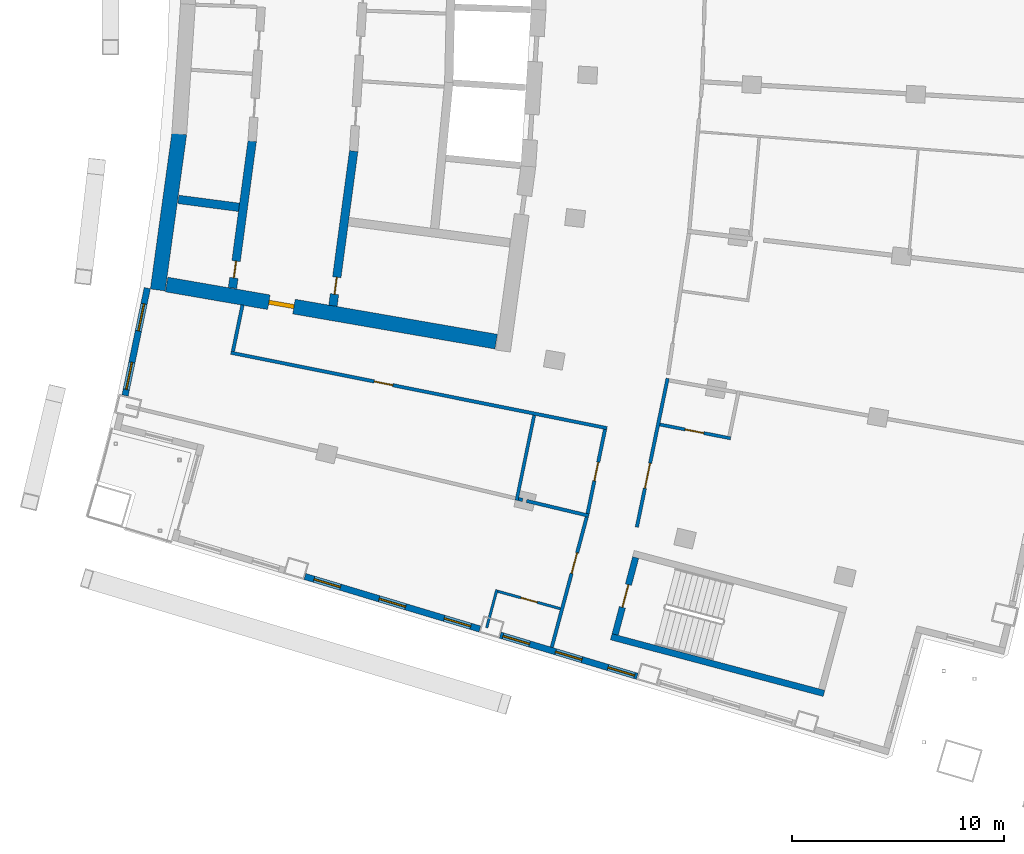
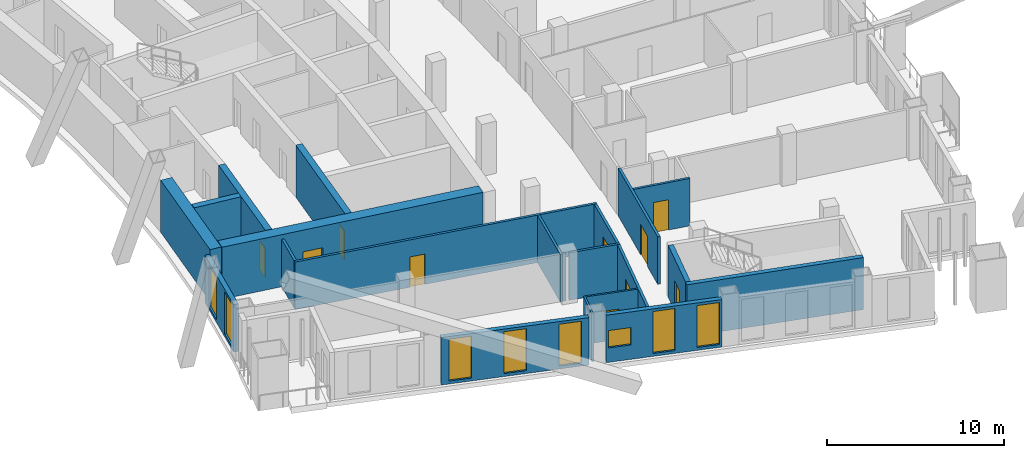
# One storey, part 10 of 19: 21 walls, 10 doors, 8 windows, 18 openings.
"""IFC4 building model written with IfcOpenShell, lengths in metres."""

from ifc_helpers import new_model, si_unit, direction, frame, frame_2d, origin, place, context, subcontext, project, spatial, rectangle, extrude, material, layer, layer_set, type_object, element, fill, save


model = new_model("IFC4")

# Units and contexts
model_context = context("Model", 3, precision=1e-05, world=origin(), true_north=direction((0.0, 1.0)))
body_context = subcontext(model_context, "Body", "Model", "MODEL_VIEW")
ifc_project = project(units=[si_unit("LENGTHUNIT", "METRE"), si_unit("AREAUNIT", "SQUARE_METRE"), si_unit("VOLUMEUNIT", "CUBIC_METRE"), si_unit("PLANEANGLEUNIT", "RADIAN"), si_unit("MASSUNIT", "GRAM", prefix="KILO")], contexts=[model_context])

# Site, building, storey
site_placement = place(None, origin())
site = spatial("IfcSite", under=ifc_project, at=site_placement, CompositionType="ELEMENT")
building_placement = place(site_placement, origin())
building = spatial("IfcBuilding", under=site, at=building_placement, Name="Alderwake Tower", CompositionType="ELEMENT")
storey_placement = place(building_placement, frame((0.0, 0.0, 171.199951171875)))
storey = spatial("IfcBuildingStorey", under=building, at=storey_placement, Name="L42", CompositionType="ELEMENT", Elevation=171.199951171875)

# Wall
ifc_material_1 = material(Name="Concrete C70/85", Category="concrete")
ifc_layer_1 = layer(ifc_material_1, 0.699951171875)
ifc_layer_set_1 = layer_set([ifc_layer_1], Name="Core wall outer 700 C70-85")
wall_type_1 = type_object("IfcWallType", Name="Core wall outer 700 C70-85", PredefinedType="SHEAR", material=ifc_layer_set_1)
wall_1_placement = place(storey_placement, frame((15.370849609375, 44.1376953125, 0.0), z_axis=(0.0, 0.0, 1.0), x_axis=(0.136315619812, 0.99066545907, 0.0)))
element("IfcWall", 1, at=wall_1_placement, inside=storey, type_object=wall_type_1, Name="Core wall CW.042", PredefinedType="SHEAR", context=body_context, shape_type="SweptSolid", body=[
    extrude(rectangle(XDim=7.420166015625, YDim=0.699951171875, at=frame_2d((3.7099609375, 0.0))), origin(), (0.0, 0.0, 1.0), 3.60009765625),
])

# Wall, opening, door
wall_2_placement = place(storey_placement, frame((31.295654296875, 41.705810546875, 0.0), z_axis=(0.0, 0.0, 1.0), x_axis=(-0.985302589944, 0.170818050129, 0.0)))
wall_2 = element("IfcWall", 2, at=wall_2_placement, inside=storey, type_object=wall_type_1, Name="Core wall CW.072", PredefinedType="SHEAR", context=body_context, shape_type="SweptSolid", body=[
    extrude(rectangle(XDim=15.7373046875, YDim=0.699951171875, at=frame_2d((7.86865234375, 0.0))), origin(), (0.0, 0.0, 1.0), 3.60009765625),
])
opening_1_placement = place(wall_2_placement, frame((9.65576171875, 0.0, 0.0)))
opening_1 = element("IfcOpeningElement", 3, at=opening_1_placement, cuts=wall_2, Name="Opening C003", PredefinedType="OPENING", context=body_context, shape_type="SweptSolid", body=[
    extrude(rectangle(XDim=1.199951171875, YDim=2.10009765625, at=frame_2d((0.60009765625, 1.050048828125))), frame((0.0, 0.35986328125, 0.0), z_axis=(0.0, -1.0, 0.0), x_axis=(1.0, 0.0, 0.0)), (0.0, 0.0, 1.0), 0.719970703125),
])
ifc_material_2 = material(Name="Steel-framed fire door leaf", Category="steel")
door_type_1 = type_object("IfcDoorType", Name="Core lobby exit door 1200 fire-rated", OperationType="SINGLE_SWING_LEFT", PredefinedType="DOOR", material=ifc_material_2)
door_1_placement = place(opening_1_placement, origin())
door_1 = element("IfcDoor", 4, at=door_1_placement, inside=storey, type_object=door_type_1, Name="Lobby door", OperationType="SINGLE_SWING_LEFT", OverallHeight=2.10009765625, OverallWidth=1.199951171875, PredefinedType="DOOR", context=body_context, shape_type="SweptSolid", body=[
    extrude(rectangle(XDim=1.199951171875, YDim=2.10009765625, at=frame_2d((0.60009765625, 1.050048828125))), frame((0.0, 0.10009765625, 0.0), z_axis=(0.0, -1.0, 0.0), x_axis=(1.0, 0.0, 0.0)), (0.0, 0.0, 1.0), 0.199951171875),
])
fill(opening_1, door_1)

ifc_material_3 = material(Name="Concrete C70/85", Category="concrete")
ifc_layer_2 = layer(ifc_material_3, 0.39990234375)
ifc_layer_set_2 = layer_set([ifc_layer_2], Name="Core wall spine 400 C70-85")
wall_type_2 = type_object("IfcWallType", Name="Core wall spine 400 C70-85", PredefinedType="SHEAR", material=ifc_layer_set_2)
wall_3_placement = place(storey_placement, frame((19.814697265625, 51.143798828125, 0.0), z_axis=(0.0, 0.0, 1.0), x_axis=(-0.132864871698, -0.991134161387, 0.0)))
wall_3 = element("IfcWall", 5, at=wall_3_placement, inside=storey, type_object=wall_type_2, Name="Core wall CW.033", PredefinedType="SHEAR", context=body_context, shape_type="SweptSolid", body=[
    extrude(rectangle(XDim=6.978759765625, YDim=0.39990234375, at=frame_2d((3.4892578125, 0.0))), origin(), (0.0, 0.0, 1.0), 3.60009765625),
])
opening_2_placement = place(wall_3_placement, frame((5.69677734375, 0.0, 0.0)))
opening_2 = element("IfcOpeningElement", 6, at=opening_2_placement, cuts=wall_3, Name="Opening C007", PredefinedType="OPENING", context=body_context, shape_type="SweptSolid", body=[
    extrude(rectangle(XDim=0.800048828125, YDim=2.0, at=frame_2d((0.39990234375, 1.0))), frame((0.0, 0.2099609375, 0.0), z_axis=(0.0, -1.0, 0.0), x_axis=(1.0, 0.0, 0.0)), (0.0, 0.0, 1.0), 0.419921875),
])
ifc_material_4 = material(Name="Painted steel leaf, rated", Category="steel")
door_type_2 = type_object("IfcDoorType", Name="Riser access door 800", OperationType="SINGLE_SWING_LEFT", PredefinedType="DOOR", material=ifc_material_4)
door_2_placement = place(opening_2_placement, origin())
door_2 = element("IfcDoor", 7, at=door_2_placement, inside=storey, type_object=door_type_2, Name="Riser access door", OperationType="SINGLE_SWING_LEFT", OverallHeight=2.0, OverallWidth=0.800048828125, PredefinedType="DOOR", context=body_context, shape_type="SweptSolid", body=[
    extrude(rectangle(XDim=0.800048828125, YDim=2.0, at=frame_2d((0.39990234375, 1.0))), frame((0.0, 0.02490234375, 0.0), z_axis=(0.0, -1.0, 0.0), x_axis=(1.0, 0.0, 0.0)), (0.0, 0.0, 1.0), 0.050048828125),
])
fill(opening_2, door_2)

wall_4_placement = place(storey_placement, frame((23.6142578125, 43.390869140625, 0.0), z_axis=(0.0, 0.0, 1.0), x_axis=(0.133023466616, 0.991112888287, 0.0)))
wall_4 = element("IfcWall", 8, at=wall_4_placement, inside=storey, type_object=wall_type_2, Name="Core wall CW.047", PredefinedType="SHEAR", context=body_context, shape_type="SweptSolid", body=[
    extrude(rectangle(XDim=7.3466796875, YDim=0.39990234375, at=frame_2d((3.67333984375, 0.0))), origin(), (0.0, 0.0, 1.0), 3.60009765625),
])
opening_3_placement = place(wall_4_placement, frame((0.557861328125, 0.0, 0.0)))
opening_3 = element("IfcOpeningElement", 9, at=opening_3_placement, cuts=wall_4, Name="Opening C014", PredefinedType="OPENING", context=body_context, shape_type="SweptSolid", body=[
    extrude(rectangle(XDim=0.800048828125, YDim=2.0, at=frame_2d((0.39990234375, 1.0))), frame((0.0, 0.2099609375, 0.0), z_axis=(0.0, -1.0, 0.0), x_axis=(1.0, 0.0, 0.0)), (0.0, 0.0, 1.0), 0.419921875),
])
door_3_placement = place(opening_3_placement, origin())
door_3 = element("IfcDoor", 10, at=door_3_placement, inside=storey, type_object=door_type_2, Name="Riser access door", OperationType="SINGLE_SWING_RIGHT", OverallHeight=2.0, OverallWidth=0.800048828125, PredefinedType="DOOR", context=body_context, shape_type="SweptSolid", body=[
    extrude(rectangle(XDim=0.800048828125, YDim=2.0, at=frame_2d((0.39990234375, 1.0))), frame((0.0, 0.02490234375, 0.0), z_axis=(0.0, -1.0, 0.0), x_axis=(1.0, 0.0, 0.0)), (0.0, 0.0, 1.0), 0.050048828125),
])
fill(opening_3, door_3)

# Walls
wall_5_placement = place(storey_placement, frame((16.3408203125, 48.3994140625, 0.0), z_axis=(0.0, 0.0, 1.0), x_axis=(0.991544987266, -0.129763393253, 0.0)))
element("IfcWall", 11, at=wall_5_placement, inside=storey, type_object=wall_type_2, Name="Core wall CW.067", PredefinedType="SHEAR", context=body_context, shape_type="SweptSolid", body=[
    extrude(rectangle(XDim=2.878662109375, YDim=0.39990234375, at=frame_2d((1.439453125, 0.0))), origin(), (0.0, 0.0, 1.0), 3.60009765625),
])
ifc_material_5 = material(Name="Concrete C70/85", Category="concrete")
ifc_layer_3 = layer(ifc_material_5, 0.300048828125)
ifc_layer_set_3 = layer_set([ifc_layer_3], Name="Core wall stair enclosure 300 C70-85")
wall_type_3 = type_object("IfcWallType", Name="Core wall stair enclosure 300 C70-85", PredefinedType="SHEAR", material=ifc_layer_set_3)
wall_6_placement = place(storey_placement, frame((36.71142578125, 27.817626953125, 0.0), z_axis=(0.0, 0.0, 1.0), x_axis=(0.966309214305, -0.257383958996, 0.0)))
element("IfcWall", 12, at=wall_6_placement, inside=storey, type_object=wall_type_3, Name="Core wall CW.088", PredefinedType="SHEAR", context=body_context, shape_type="SweptSolid", body=[
    extrude(rectangle(XDim=10.360107421875, YDim=0.300048828125, at=frame_2d((5.18017578125, 0.0))), origin(), (0.0, 0.0, 1.0), 3.60009765625),
])

# Wall, opening, door
wall_7_placement = place(storey_placement, frame((36.89501953125, 27.923828125, 0.0), z_axis=(0.0, 0.0, 1.0), x_axis=(0.257350630826, 0.966318090907, 0.0)))
wall_7 = element("IfcWall", 13, at=wall_7_placement, inside=storey, type_object=wall_type_3, Name="Core wall CW.087", PredefinedType="SHEAR", context=body_context, shape_type="SweptSolid", body=[
    extrude(rectangle(XDim=3.75, YDim=0.300048828125, at=frame_2d((1.875, 0.0))), origin(), (0.0, 0.0, 1.0), 3.60009765625),
])
opening_4_placement = place(wall_7_placement, frame((1.324951171875, 0.0, 0.0)))
opening_4 = element("IfcOpeningElement", 14, at=opening_4_placement, cuts=wall_7, Name="Opening C065", PredefinedType="OPENING", context=body_context, shape_type="SweptSolid", body=[
    extrude(rectangle(XDim=1.10009765625, YDim=2.10009765625, at=frame_2d((0.550048828125, 1.050048828125))), frame((0.0, 0.159912109375, 0.0), z_axis=(0.0, -1.0, 0.0), x_axis=(1.0, 0.0, 0.0)), (0.0, 0.0, 1.0), 0.320068359375),
])
ifc_material_6 = material(Name="Steel-framed fire door leaf", Category="steel")
door_type_3 = type_object("IfcDoorType", Name="Core stair door 1100 fire-rated", OperationType="SINGLE_SWING_LEFT", PredefinedType="DOOR", material=ifc_material_6)
door_4_placement = place(opening_4_placement, origin())
door_4 = element("IfcDoor", 15, at=door_4_placement, inside=storey, type_object=door_type_3, Name="Stair door", OperationType="SINGLE_SWING_LEFT", OverallHeight=2.10009765625, OverallWidth=1.10009765625, PredefinedType="DOOR", context=body_context, shape_type="SweptSolid", body=[
    extrude(rectangle(XDim=1.10009765625, YDim=2.10009765625, at=frame_2d((0.550048828125, 1.050048828125))), frame((0.0, 0.02490234375, 0.0), z_axis=(0.0, -1.0, 0.0), x_axis=(1.0, 0.0, 0.0)), (0.0, 0.0, 1.0), 0.050048828125),
])
fill(opening_4, door_4)

ifc_material_7 = material(Name="Gypsum board on metal studs, rated")
ifc_layer_4 = layer(ifc_material_7, 0.159912109375)
ifc_layer_set_4 = layer_set([ifc_layer_4], Name="Corridor wall 160")
wall_type_4 = type_object("IfcWallType", Name="Corridor wall 160", PredefinedType="PARTITIONING", material=ifc_layer_set_4)
wall_8_placement = place(storey_placement, frame((36.513427734375, 37.63427734375, 0.0), z_axis=(0.0, 0.0, 1.0), x_axis=(-0.980470254867, 0.1966674333, 0.0)))
wall_8 = element("IfcWall", 16, at=wall_8_placement, inside=storey, type_object=wall_type_4, Name="WL/L42/W14", PredefinedType="PARTITIONING", context=body_context, shape_type="SweptSolid", body=[
    extrude(rectangle(XDim=18.053466796875, YDim=0.159912109375, at=frame_2d((9.02685546875, 0.0))), origin(), (0.0, 0.0, 1.0), 3.280029296875),
])
opening_5_placement = place(wall_8_placement, frame((10.277099609375, 0.0, 0.0)))
opening_5 = element("IfcOpeningElement", 17, at=opening_5_placement, cuts=wall_8, Name="Opening R12-SBS1", PredefinedType="OPENING", context=body_context, shape_type="SweptSolid", body=[
    extrude(rectangle(XDim=0.89990234375, YDim=2.10009765625, at=frame_2d((0.449951171875, 1.050048828125))), frame((0.0, 0.08984375, 0.0), z_axis=(0.0, -1.0, 0.0), x_axis=(1.0, 0.0, 0.0)), (0.0, 0.0, 1.0), 0.179931640625),
])
ifc_material_8 = material(Name="Painted timber leaf", Category="wood")
door_type_4 = type_object("IfcDoorType", Name="Room door 900", OperationType="SINGLE_SWING_LEFT", PredefinedType="DOOR", material=ifc_material_8)
door_5_placement = place(opening_5_placement, origin())
door_5 = element("IfcDoor", 18, at=door_5_placement, inside=storey, type_object=door_type_4, Name="DR/L42/SBS1", OperationType="SINGLE_SWING_LEFT", OverallHeight=2.10009765625, OverallWidth=0.89990234375, PredefinedType="DOOR", context=body_context, shape_type="SweptSolid", body=[
    extrude(rectangle(XDim=0.89990234375, YDim=2.10009765625, at=frame_2d((0.449951171875, 1.050048828125))), frame((0.0, 0.02490234375, 0.0), z_axis=(0.0, -1.0, 0.0), x_axis=(1.0, 0.0, 0.0)), (0.0, 0.0, 1.0), 0.050048828125),
])
fill(opening_5, door_5)

# Walls
wall_9_placement = place(storey_placement, frame((19.35888671875, 43.430908203125, 0.0), z_axis=(0.0, 0.0, 1.0), x_axis=(-0.202554916658, -0.979270905183, 0.0)))
element("IfcWall", 19, at=wall_9_placement, inside=storey, type_object=wall_type_4, Name="WL/L42/W15", PredefinedType="PARTITIONING", context=body_context, shape_type="SweptSolid", body=[
    extrude(rectangle(XDim=2.229736328125, YDim=0.159912109375, at=frame_2d((1.11474609375, 0.0))), origin(), (0.0, 0.0, 1.0), 3.280029296875),
])
wall_10_placement = place(storey_placement, frame((32.343994140625, 34.300048828125, 0.0), z_axis=(0.0, 0.0, 1.0), x_axis=(0.974391195695, -0.224859506699, 0.0)))
element("IfcWall", 20, at=wall_10_placement, inside=storey, type_object=wall_type_4, Name="WL/L42/W17", PredefinedType="PARTITIONING", context=body_context, shape_type="SweptSolid", body=[
    extrude(rectangle(XDim=0.205322265625, YDim=0.159912109375, at=frame_2d((0.1025390625, 0.0))), origin(), (0.0, 0.0, 1.0), 3.280029296875),
])
wall_11_placement = place(storey_placement, frame((32.725341796875, 34.210205078125, 0.0), z_axis=(0.0, 0.0, 1.0), x_axis=(0.972838360224, -0.231485474442, 0.0)))
element("IfcWall", 21, at=wall_11_placement, inside=storey, type_object=wall_type_4, Name="WL/L42/W18", PredefinedType="PARTITIONING", context=body_context, shape_type="SweptSolid", body=[
    extrude(rectangle(XDim=3.01416015625, YDim=0.159912109375, at=frame_2d((1.507080078125, 0.0))), origin(), (0.0, 0.0, 1.0), 3.280029296875),
])

# Wall, opening, door
wall_12_placement = place(storey_placement, frame((33.912109375, 27.321044921875, 0.0), z_axis=(0.0, 0.0, 1.0), x_axis=(0.259370874835, 0.965777794986, 0.0)))
wall_12 = element("IfcWall", 22, at=wall_12_placement, inside=storey, type_object=wall_type_4, Name="WL/L42/W20", PredefinedType="PARTITIONING", context=body_context, shape_type="SweptSolid", body=[
    extrude(rectangle(XDim=6.349853515625, YDim=0.159912109375, at=frame_2d((3.1748046875, 0.0))), origin(), (0.0, 0.0, 1.0), 3.280029296875),
])
opening_6_placement = place(wall_12_placement, frame((3.603515625, 0.0, 0.0)))
opening_6 = element("IfcOpeningElement", 23, at=opening_6_placement, cuts=wall_12, Name="Opening R12-U10.1", PredefinedType="OPENING", context=body_context, shape_type="SweptSolid", body=[
    extrude(rectangle(XDim=1.0, YDim=2.10009765625, at=frame_2d((0.5, 1.050048828125))), frame((0.0, 0.08984375, 0.0), z_axis=(0.0, -1.0, 0.0), x_axis=(1.0, 0.0, 0.0)), (0.0, 0.0, 1.0), 0.179931640625),
])
ifc_material_9 = material(Name="Solid timber leaf in steel frame", Category="steel")
door_type_5 = type_object("IfcDoorType", Name="Flat entrance door 1000 fire-rated", OperationType="SINGLE_SWING_LEFT", PredefinedType="DOOR", material=ifc_material_9)
door_6_placement = place(opening_6_placement, origin())
door_6 = element("IfcDoor", 24, at=door_6_placement, inside=storey, type_object=door_type_5, Name="DR/L42/U10.1", OperationType="SINGLE_SWING_LEFT", OverallHeight=2.10009765625, OverallWidth=1.0, PredefinedType="DOOR", context=body_context, shape_type="SweptSolid", body=[
    extrude(rectangle(XDim=1.0, YDim=2.10009765625, at=frame_2d((0.5, 1.050048828125))), frame((0.0, 0.02490234375, 0.0), z_axis=(0.0, -1.0, 0.0), x_axis=(1.0, 0.0, 0.0)), (0.0, 0.0, 1.0), 0.050048828125),
])
fill(opening_6, door_6)

wall_13_placement = place(storey_placement, frame((35.59619140625, 33.609375, 0.0), z_axis=(0.0, 0.0, 1.0), x_axis=(0.203245920818, 0.979127721838, 0.0)))
wall_13 = element("IfcWall", 25, at=wall_13_placement, inside=storey, type_object=wall_type_4, Name="WL/L42/W23", PredefinedType="PARTITIONING", context=body_context, shape_type="SweptSolid", body=[
    extrude(rectangle(XDim=4.046875, YDim=0.159912109375, at=frame_2d((2.0234375, 0.0))), origin(), (0.0, 0.0, 1.0), 3.280029296875),
])
opening_7_placement = place(wall_13_placement, frame((1.573486328125, 0.0, 0.0)))
opening_7 = element("IfcOpeningElement", 26, at=opening_7_placement, cuts=wall_13, Name="Opening R12-SBS2", PredefinedType="OPENING", context=body_context, shape_type="SweptSolid", body=[
    extrude(rectangle(XDim=0.89990234375, YDim=2.10009765625, at=frame_2d((0.449951171875, 1.050048828125))), frame((0.0, 0.08984375, 0.0), z_axis=(0.0, -1.0, 0.0), x_axis=(1.0, 0.0, 0.0)), (0.0, 0.0, 1.0), 0.179931640625),
])
door_7_placement = place(opening_7_placement, origin())
door_7 = element("IfcDoor", 27, at=door_7_placement, inside=storey, type_object=door_type_4, Name="DR/L42/SBS2", OperationType="SINGLE_SWING_LEFT", OverallHeight=2.10009765625, OverallWidth=0.89990234375, PredefinedType="DOOR", context=body_context, shape_type="SweptSolid", body=[
    extrude(rectangle(XDim=0.89990234375, YDim=2.10009765625, at=frame_2d((0.449951171875, 1.050048828125))), frame((0.0, 0.02490234375, 0.0), z_axis=(0.0, -1.0, 0.0), x_axis=(1.0, 0.0, 0.0)), (0.0, 0.0, 1.0), 0.050048828125),
])
fill(opening_7, door_7)

wall_14_placement = place(storey_placement, frame((39.3642578125, 39.975341796875, 0.0), z_axis=(0.0, 0.0, 1.0), x_axis=(-0.202490391407, -0.979284249535, 0.0)))
wall_14 = element("IfcWall", 28, at=wall_14_placement, inside=storey, type_object=wall_type_4, Name="WL/L42/W25", PredefinedType="PARTITIONING", context=body_context, shape_type="SweptSolid", body=[
    extrude(rectangle(XDim=7.147216796875, YDim=0.159912109375, at=frame_2d((3.57373046875, 0.0))), origin(), (0.0, 0.0, 1.0), 3.280029296875),
])
opening_8_placement = place(wall_14_placement, frame((4.073486328125, 0.0, 0.0)))
opening_8 = element("IfcOpeningElement", 29, at=opening_8_placement, cuts=wall_14, Name="Opening R12-AM1.1", PredefinedType="OPENING", context=body_context, shape_type="SweptSolid", body=[
    extrude(rectangle(XDim=1.199951171875, YDim=2.10009765625, at=frame_2d((0.60009765625, 1.050048828125))), frame((0.0, 0.08984375, 0.0), z_axis=(0.0, -1.0, 0.0), x_axis=(1.0, 0.0, 0.0)), (0.0, 0.0, 1.0), 0.179931640625),
])
ifc_material_10 = material(Name="Steel-framed fire door leaf", Category="steel")
door_type_6 = type_object("IfcDoorType", Name="Lobby door 1200 fire-rated", OperationType="SINGLE_SWING_LEFT", PredefinedType="DOOR", material=ifc_material_10)
door_8_placement = place(opening_8_placement, origin())
door_8 = element("IfcDoor", 30, at=door_8_placement, inside=storey, type_object=door_type_6, Name="DR/L42/AM1.1", OperationType="SINGLE_SWING_LEFT", OverallHeight=2.10009765625, OverallWidth=1.199951171875, PredefinedType="DOOR", context=body_context, shape_type="SweptSolid", body=[
    extrude(rectangle(XDim=1.199951171875, YDim=2.10009765625, at=frame_2d((0.60009765625, 1.050048828125))), frame((0.0, 0.02490234375, 0.0), z_axis=(0.0, -1.0, 0.0), x_axis=(1.0, 0.0, 0.0)), (0.0, 0.0, 1.0), 0.050048828125),
])
fill(opening_8, door_8)

# Wall, openings, windows
ifc_material_11 = material(Name="Precast concrete C50/60 spandrel panel", Category="concrete")
ifc_layer_5 = layer(ifc_material_11, 0.300048828125)
ifc_layer_set_5 = layer_set([ifc_layer_5], Name="External wall EW1 Precast concrete C50/60 spandrel")
wall_type_5 = type_object("IfcWallType", Name="External wall EW1 Precast concrete C50/60 spandrel", PredefinedType="SOLIDWALL", material=ifc_layer_set_5)
wall_15_placement = place(storey_placement, frame((14.878173828125, 44.223388671875, 0.0), z_axis=(0.0, 0.0, 1.0), x_axis=(-0.202754243564, -0.979229654737, 0.0)))
wall_15 = element("IfcWall", 31, at=wall_15_placement, inside=storey, type_object=wall_type_5, Name="External wall 32", PredefinedType="SOLIDWALL", context=body_context, shape_type="SweptSolid", body=[
    extrude(rectangle(XDim=5.15966796875, YDim=0.300048828125, at=frame_2d((2.579833984375, 0.0))), origin(), (0.0, 0.0, 1.0), 3.280029296875),
])
opening_9_placement = place(wall_15_placement, frame((0.75634765625, 0.0, 0.199951171875)))
opening_9 = element("IfcOpeningElement", 32, at=opening_9_placement, cuts=wall_15, Name="Opening W1", PredefinedType="OPENING", context=body_context, shape_type="SweptSolid", body=[
    extrude(rectangle(XDim=1.300048828125, YDim=2.89990234375, at=frame_2d((0.64990234375, 1.449951171875))), frame((0.0, 0.159912109375, 0.0), z_axis=(0.0, -1.0, 0.0), x_axis=(1.0, 0.0, 0.0)), (0.0, 0.0, 1.0), 0.320068359375),
])
opening_10_placement = place(wall_15_placement, frame((3.569091796875, 0.0, 0.199951171875)))
opening_10 = element("IfcOpeningElement", 33, at=opening_10_placement, cuts=wall_15, Name="Opening W1", PredefinedType="OPENING", context=body_context, shape_type="SweptSolid", body=[
    extrude(rectangle(XDim=1.300048828125, YDim=2.89990234375, at=frame_2d((0.64990234375, 1.449951171875))), frame((0.0, 0.159912109375, 0.0), z_axis=(0.0, -1.0, 0.0), x_axis=(1.0, 0.0, 0.0)), (0.0, 0.0, 1.0), 0.320068359375),
])
ifc_material_12 = material(Name="Bronze tinted glass in aluminium frame", Category="aluminium")
window_type_1 = type_object("IfcWindowType", Name="Window W1 tall fixed and vent", PartitioningType="DOUBLE_PANEL_VERTICAL", PredefinedType="WINDOW", material=ifc_material_12)
window_1_placement = place(opening_9_placement, origin())
window_1 = element("IfcWindow", 34, at=window_1_placement, inside=storey, type_object=window_type_1, Name="Window W1 tall fixed and vent", OverallHeight=2.89990234375, OverallWidth=1.300048828125, PartitioningType="DOUBLE_PANEL_VERTICAL", PredefinedType="WINDOW", context=body_context, shape_type="SweptSolid", body=[
    extrude(rectangle(XDim=1.300048828125, YDim=2.89990234375, at=frame_2d((0.64990234375, 1.449951171875))), frame((0.0, 0.030029296875, 0.0), z_axis=(0.0, -1.0, 0.0), x_axis=(1.0, 0.0, 0.0)), (0.0, 0.0, 1.0), 0.06005859375),
])
fill(opening_9, window_1)
window_2_placement = place(opening_10_placement, origin())
window_2 = element("IfcWindow", 35, at=window_2_placement, inside=storey, type_object=window_type_1, Name="Window W1 tall fixed and vent", OverallHeight=2.89990234375, OverallWidth=1.300048828125, PartitioningType="DOUBLE_PANEL_VERTICAL", PredefinedType="WINDOW", context=body_context, shape_type="SweptSolid", body=[
    extrude(rectangle(XDim=1.300048828125, YDim=2.89990234375, at=frame_2d((0.64990234375, 1.449951171875))), frame((0.0, 0.030029296875, 0.0), z_axis=(0.0, -1.0, 0.0), x_axis=(1.0, 0.0, 0.0)), (0.0, 0.0, 1.0), 0.06005859375),
])
fill(opening_10, window_2)

ifc_material_13 = material(Name="Bronze metal cladding on lightweight framing")
ifc_layer_6 = layer(ifc_material_13, 0.300048828125)
ifc_layer_set_6 = layer_set([ifc_layer_6], Name="External wall EW2 bronze metal cladding")
wall_type_6 = type_object("IfcWallType", Name="External wall EW2 bronze metal cladding", PredefinedType="SOLIDWALL", material=ifc_layer_set_6)
wall_16_placement = place(storey_placement, frame((22.294677734375, 30.653564453125, 0.0), z_axis=(0.0, 0.0, 1.0), x_axis=(0.957768419769, -0.287540699891, 0.0)))
wall_16 = element("IfcWall", 36, at=wall_16_placement, inside=storey, type_object=wall_type_6, Name="External wall 5", PredefinedType="SOLIDWALL", context=body_context, shape_type="SweptSolid", body=[
    extrude(rectangle(XDim=8.595947265625, YDim=0.300048828125, at=frame_2d((4.2978515625, 0.0))), origin(), (0.0, 0.0, 1.0), 3.280029296875),
])
opening_11_placement = place(wall_16_placement, frame((0.44775390625, 0.0, 0.199951171875)))
opening_11 = element("IfcOpeningElement", 37, at=opening_11_placement, cuts=wall_16, Name="Opening W1", PredefinedType="OPENING", context=body_context, shape_type="SweptSolid", body=[
    extrude(rectangle(XDim=1.300048828125, YDim=2.89990234375, at=frame_2d((0.64990234375, 1.449951171875))), frame((0.0, 0.159912109375, 0.0), z_axis=(0.0, -1.0, 0.0), x_axis=(1.0, 0.0, 0.0)), (0.0, 0.0, 1.0), 0.320068359375),
])
opening_12_placement = place(wall_16_placement, frame((3.647705078125, 0.0, 0.199951171875)))
opening_12 = element("IfcOpeningElement", 38, at=opening_12_placement, cuts=wall_16, Name="Opening W1", PredefinedType="OPENING", context=body_context, shape_type="SweptSolid", body=[
    extrude(rectangle(XDim=1.300048828125, YDim=2.89990234375, at=frame_2d((0.64990234375, 1.449951171875))), frame((0.0, 0.159912109375, 0.0), z_axis=(0.0, -1.0, 0.0), x_axis=(1.0, 0.0, 0.0)), (0.0, 0.0, 1.0), 0.320068359375),
])
opening_13_placement = place(wall_16_placement, frame((6.847900390625, 0.0, 0.199951171875)))
opening_13 = element("IfcOpeningElement", 39, at=opening_13_placement, cuts=wall_16, Name="Opening W1", PredefinedType="OPENING", context=body_context, shape_type="SweptSolid", body=[
    extrude(rectangle(XDim=1.300048828125, YDim=2.89990234375, at=frame_2d((0.64990234375, 1.449951171875))), frame((0.0, 0.159912109375, 0.0), z_axis=(0.0, -1.0, 0.0), x_axis=(1.0, 0.0, 0.0)), (0.0, 0.0, 1.0), 0.320068359375),
])
window_3_placement = place(opening_11_placement, origin())
window_3 = element("IfcWindow", 40, at=window_3_placement, inside=storey, type_object=window_type_1, Name="Window W1 tall fixed and vent", OverallHeight=2.89990234375, OverallWidth=1.300048828125, PartitioningType="DOUBLE_PANEL_VERTICAL", PredefinedType="WINDOW", context=body_context, shape_type="SweptSolid", body=[
    extrude(rectangle(XDim=1.300048828125, YDim=2.89990234375, at=frame_2d((0.64990234375, 1.449951171875))), frame((0.0, 0.030029296875, 0.0), z_axis=(0.0, -1.0, 0.0), x_axis=(1.0, 0.0, 0.0)), (0.0, 0.0, 1.0), 0.06005859375),
])
fill(opening_11, window_3)
window_4_placement = place(opening_12_placement, origin())
window_4 = element("IfcWindow", 41, at=window_4_placement, inside=storey, type_object=window_type_1, Name="Window W1 tall fixed and vent", OverallHeight=2.89990234375, OverallWidth=1.300048828125, PartitioningType="DOUBLE_PANEL_VERTICAL", PredefinedType="WINDOW", context=body_context, shape_type="SweptSolid", body=[
    extrude(rectangle(XDim=1.300048828125, YDim=2.89990234375, at=frame_2d((0.64990234375, 1.449951171875))), frame((0.0, 0.030029296875, 0.0), z_axis=(0.0, -1.0, 0.0), x_axis=(1.0, 0.0, 0.0)), (0.0, 0.0, 1.0), 0.06005859375),
])
fill(opening_12, window_4)
window_5_placement = place(opening_13_placement, origin())
window_5 = element("IfcWindow", 42, at=window_5_placement, inside=storey, type_object=window_type_1, Name="Window W1 tall fixed and vent", OverallHeight=2.89990234375, OverallWidth=1.300048828125, PartitioningType="DOUBLE_PANEL_VERTICAL", PredefinedType="WINDOW", context=body_context, shape_type="SweptSolid", body=[
    extrude(rectangle(XDim=1.300048828125, YDim=2.89990234375, at=frame_2d((0.64990234375, 1.449951171875))), frame((0.0, 0.030029296875, 0.0), z_axis=(0.0, -1.0, 0.0), x_axis=(1.0, 0.0, 0.0)), (0.0, 0.0, 1.0), 0.06005859375),
])
fill(opening_13, window_5)

wall_17_placement = place(storey_placement, frame((31.4892578125, 27.89306640625, 0.0), z_axis=(0.0, 0.0, 1.0), x_axis=(0.957766354081, -0.287547580396, 0.0)))
wall_17 = element("IfcWall", 43, at=wall_17_placement, inside=storey, type_object=wall_type_6, Name="External wall 6", PredefinedType="SOLIDWALL", context=body_context, shape_type="SweptSolid", body=[
    extrude(rectangle(XDim=6.7294921875, YDim=0.300048828125, at=frame_2d((3.36474609375, 0.0))), origin(), (0.0, 0.0, 1.0), 3.280029296875),
])
opening_14_placement = place(wall_17_placement, frame((0.13671875, 0.0, 1.0)))
opening_14 = element("IfcOpeningElement", 44, at=opening_14_placement, cuts=wall_17, Name="Opening W2", PredefinedType="OPENING", context=body_context, shape_type="SweptSolid", body=[
    extrude(rectangle(XDim=1.300048828125, YDim=1.199951171875, at=frame_2d((0.64990234375, 0.60009765625))), frame((0.0, 0.159912109375, 0.0), z_axis=(0.0, -1.0, 0.0), x_axis=(1.0, 0.0, 0.0)), (0.0, 0.0, 1.0), 0.320068359375),
])
opening_15_placement = place(wall_17_placement, frame((2.714599609375, 0.0, 0.199951171875)))
opening_15 = element("IfcOpeningElement", 45, at=opening_15_placement, cuts=wall_17, Name="Opening W1", PredefinedType="OPENING", context=body_context, shape_type="SweptSolid", body=[
    extrude(rectangle(XDim=1.300048828125, YDim=2.89990234375, at=frame_2d((0.64990234375, 1.449951171875))), frame((0.0, 0.159912109375, 0.0), z_axis=(0.0, -1.0, 0.0), x_axis=(1.0, 0.0, 0.0)), (0.0, 0.0, 1.0), 0.320068359375),
])
opening_16_placement = place(wall_17_placement, frame((5.29248046875, 0.0, 0.199951171875)))
opening_16 = element("IfcOpeningElement", 46, at=opening_16_placement, cuts=wall_17, Name="Opening W1", PredefinedType="OPENING", context=body_context, shape_type="SweptSolid", body=[
    extrude(rectangle(XDim=1.300048828125, YDim=2.89990234375, at=frame_2d((0.64990234375, 1.449951171875))), frame((0.0, 0.159912109375, 0.0), z_axis=(0.0, -1.0, 0.0), x_axis=(1.0, 0.0, 0.0)), (0.0, 0.0, 1.0), 0.320068359375),
])
window_6_placement = place(opening_15_placement, origin())
window_6 = element("IfcWindow", 47, at=window_6_placement, inside=storey, type_object=window_type_1, Name="Window W1 tall fixed and vent", OverallHeight=2.89990234375, OverallWidth=1.300048828125, PartitioningType="DOUBLE_PANEL_VERTICAL", PredefinedType="WINDOW", context=body_context, shape_type="SweptSolid", body=[
    extrude(rectangle(XDim=1.300048828125, YDim=2.89990234375, at=frame_2d((0.64990234375, 1.449951171875))), frame((0.0, 0.030029296875, 0.0), z_axis=(0.0, -1.0, 0.0), x_axis=(1.0, 0.0, 0.0)), (0.0, 0.0, 1.0), 0.06005859375),
])
fill(opening_15, window_6)
window_7_placement = place(opening_16_placement, origin())
window_7 = element("IfcWindow", 48, at=window_7_placement, inside=storey, type_object=window_type_1, Name="Window W1 tall fixed and vent", OverallHeight=2.89990234375, OverallWidth=1.300048828125, PartitioningType="DOUBLE_PANEL_VERTICAL", PredefinedType="WINDOW", context=body_context, shape_type="SweptSolid", body=[
    extrude(rectangle(XDim=1.300048828125, YDim=2.89990234375, at=frame_2d((0.64990234375, 1.449951171875))), frame((0.0, 0.030029296875, 0.0), z_axis=(0.0, -1.0, 0.0), x_axis=(1.0, 0.0, 0.0)), (0.0, 0.0, 1.0), 0.06005859375),
])
fill(opening_16, window_7)
ifc_material_14 = material(Name="Bronze tinted glass in aluminium frame", Category="aluminium")
window_type_2 = type_object("IfcWindowType", Name="Window W2 kitchen and bath", PartitioningType="SINGLE_PANEL", PredefinedType="WINDOW", material=ifc_material_14)
window_8_placement = place(opening_14_placement, origin())
window_8 = element("IfcWindow", 49, at=window_8_placement, inside=storey, type_object=window_type_2, Name="Window W2 kitchen and bath", OverallHeight=1.199951171875, OverallWidth=1.300048828125, PartitioningType="SINGLE_PANEL", PredefinedType="WINDOW", context=body_context, shape_type="SweptSolid", body=[
    extrude(rectangle(XDim=1.300048828125, YDim=1.199951171875, at=frame_2d((0.64990234375, 0.60009765625))), frame((0.0, 0.030029296875, 0.0), z_axis=(0.0, -1.0, 0.0), x_axis=(1.0, 0.0, 0.0)), (0.0, 0.0, 1.0), 0.06005859375),
])
fill(opening_14, window_8)

# Wall
ifc_material_15 = material(Name="Gypsum shaft wall system, rated")
ifc_layer_7 = layer(ifc_material_15, 0.14990234375)
ifc_layer_set_7 = layer_set([ifc_layer_7], Name="Riser and shaft wall 150")
wall_type_7 = type_object("IfcWallType", Name="Riser and shaft wall 150", PredefinedType="PARTITIONING", material=ifc_layer_set_7)
wall_18_placement = place(storey_placement, frame((32.2578125, 34.23876953125, 0.0), z_axis=(0.0, 0.0, 1.0), x_axis=(0.202579923059, 0.979265732462, 0.0)))
element("IfcWall", 50, at=wall_18_placement, inside=storey, type_object=wall_type_7, Name="WL/L42/W09", PredefinedType="PARTITIONING", context=body_context, shape_type="SweptSolid", body=[
    extrude(rectangle(XDim=4.086669921875, YDim=0.14990234375, at=frame_2d((2.04345703125, 0.0))), origin(), (0.0, 0.0, 1.0), 3.280029296875),
])

# Wall, opening, door
wall_19_placement = place(storey_placement, frame((38.99755859375, 37.8056640625, 0.0), z_axis=(0.0, 0.0, 1.0), x_axis=(0.981480367208, -0.191562754169, 0.0)))
wall_19 = element("IfcWall", 51, at=wall_19_placement, inside=storey, type_object=wall_type_7, Name="WL/L42/W11", PredefinedType="PARTITIONING", context=body_context, shape_type="SweptSolid", body=[
    extrude(rectangle(XDim=3.393798828125, YDim=0.14990234375, at=frame_2d((1.69677734375, 0.0))), origin(), (0.0, 0.0, 1.0), 3.280029296875),
])
opening_17_placement = place(wall_19_placement, frame((1.209228515625, 0.0, 0.0)))
opening_17 = element("IfcOpeningElement", 52, at=opening_17_placement, cuts=wall_19, Name="Opening R12-AM1.2", PredefinedType="OPENING", context=body_context, shape_type="SweptSolid", body=[
    extrude(rectangle(XDim=0.89990234375, YDim=2.10009765625, at=frame_2d((0.449951171875, 1.050048828125))), frame((0.0, 0.0849609375, 0.0), z_axis=(0.0, -1.0, 0.0), x_axis=(1.0, 0.0, 0.0)), (0.0, 0.0, 1.0), 0.169921875),
])
door_9_placement = place(opening_17_placement, origin())
door_9 = element("IfcDoor", 53, at=door_9_placement, inside=storey, type_object=door_type_4, Name="DR/L42/AM1.2", OperationType="SINGLE_SWING_LEFT", OverallHeight=2.10009765625, OverallWidth=0.89990234375, PredefinedType="DOOR", context=body_context, shape_type="SweptSolid", body=[
    extrude(rectangle(XDim=0.89990234375, YDim=2.10009765625, at=frame_2d((0.449951171875, 1.050048828125))), frame((0.0, 0.02490234375, 0.0), z_axis=(0.0, -1.0, 0.0), x_axis=(1.0, 0.0, 0.0)), (0.0, 0.0, 1.0), 0.050048828125),
])
fill(opening_17, door_9)

# Wall
ifc_material_16 = material(Name="Moisture resistant gypsum board on metal studs")
ifc_layer_8 = layer(ifc_material_16, 0.1201171875)
ifc_layer_set_8 = layer_set([ifc_layer_8], Name="Wet room partition 120")
wall_type_8 = type_object("IfcWallType", Name="Wet room partition 120", PredefinedType="PARTITIONING", material=ifc_layer_set_8)
wall_20_placement = place(storey_placement, frame((31.32958984375, 30.031005859375, 0.0), z_axis=(0.0, 0.0, 1.0), x_axis=(-0.259368447521, -0.965778446866, 0.0)))
element("IfcWall", 54, at=wall_20_placement, inside=storey, type_object=wall_type_8, Name="WL/L42/W37", PredefinedType="PARTITIONING", context=body_context, shape_type="SweptSolid", body=[
    extrude(rectangle(XDim=1.8525390625, YDim=0.1201171875, at=frame_2d((0.92626953125, 0.0))), origin(), (0.0, 0.0, 1.0), 3.280029296875),
])

# Wall, opening, door
wall_21_placement = place(storey_placement, frame((34.31787109375, 29.136474609375, 0.0), z_axis=(0.0, 0.0, 1.0), x_axis=(-0.963351881246, 0.268240848677, 0.0)))
wall_21 = element("IfcWall", 55, at=wall_21_placement, inside=storey, type_object=wall_type_8, Name="WL/L42/W39", PredefinedType="PARTITIONING", context=body_context, shape_type="SweptSolid", body=[
    extrude(rectangle(XDim=3.05810546875, YDim=0.1201171875, at=frame_2d((1.529052734375, 0.0))), origin(), (0.0, 0.0, 1.0), 3.280029296875),
])
opening_18_placement = place(wall_21_placement, frame((1.129150390625, 0.0, 0.0)))
opening_18 = element("IfcOpeningElement", 56, at=opening_18_placement, cuts=wall_21, Name="Opening R12-U10.2", PredefinedType="OPENING", context=body_context, shape_type="SweptSolid", body=[
    extrude(rectangle(XDim=0.800048828125, YDim=2.10009765625, at=frame_2d((0.39990234375, 1.050048828125))), frame((0.0, 0.070068359375, 0.0), z_axis=(0.0, -1.0, 0.0), x_axis=(1.0, 0.0, 0.0)), (0.0, 0.0, 1.0), 0.14013671875),
])
ifc_material_17 = material(Name="Painted timber leaf", Category="wood")
door_type_7 = type_object("IfcDoorType", Name="Bathroom door 800", OperationType="SINGLE_SWING_LEFT", PredefinedType="DOOR", material=ifc_material_17)
door_10_placement = place(opening_18_placement, origin())
door_10 = element("IfcDoor", 57, at=door_10_placement, inside=storey, type_object=door_type_7, Name="DR/L42/U10.2", OperationType="SINGLE_SWING_LEFT", OverallHeight=2.10009765625, OverallWidth=0.800048828125, PredefinedType="DOOR", context=body_context, shape_type="SweptSolid", body=[
    extrude(rectangle(XDim=0.800048828125, YDim=2.10009765625, at=frame_2d((0.39990234375, 1.050048828125))), frame((0.0, 0.02490234375, 0.0), z_axis=(0.0, -1.0, 0.0), x_axis=(1.0, 0.0, 0.0)), (0.0, 0.0, 1.0), 0.050048828125),
])
fill(opening_18, door_10)

save(model, "model.ifc")
